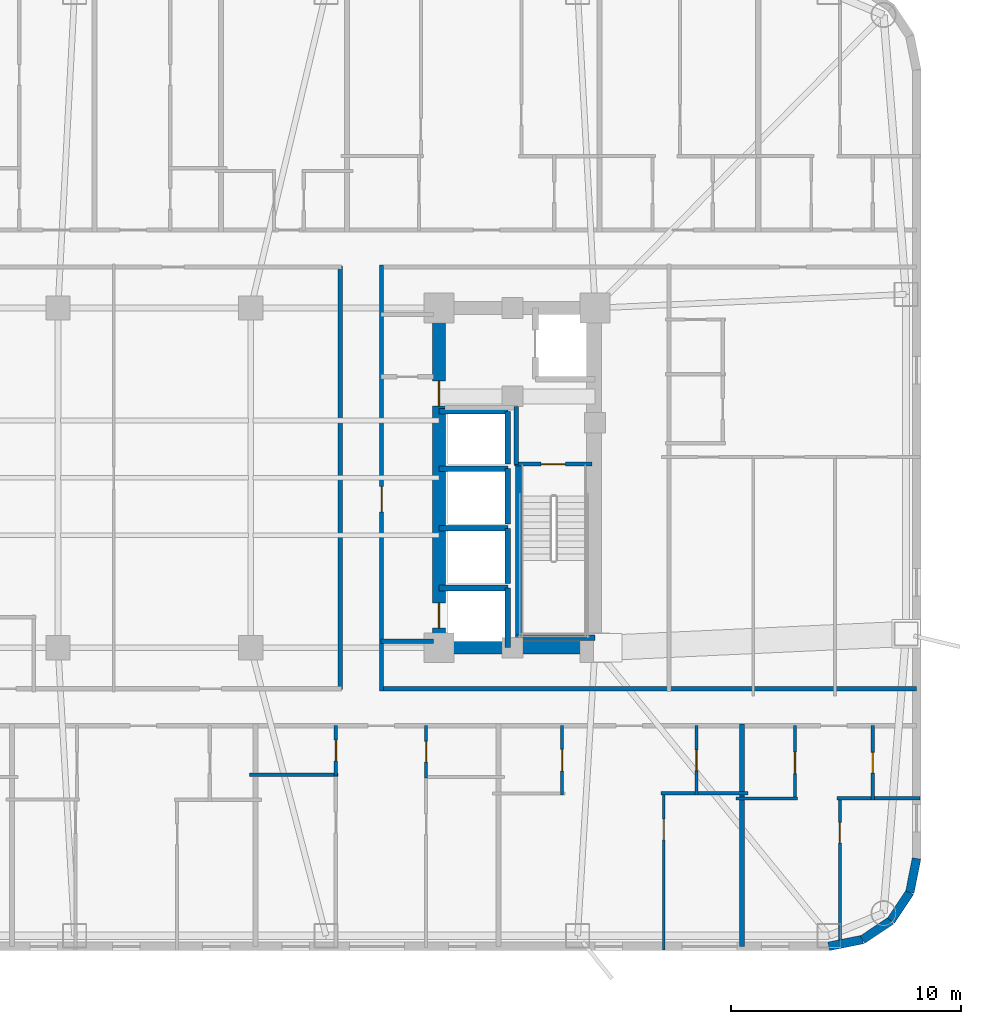
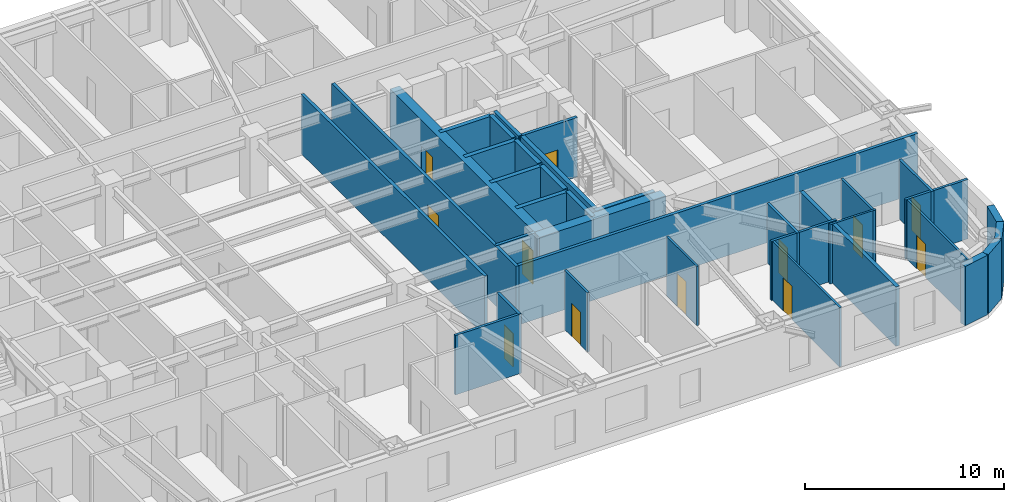
# One storey, part 6 of 12: 35 walls, 12 doors, 12 openings.
"""IFC4 building model written with IfcOpenShell, lengths in metres."""

from ifc_helpers import new_model, si_unit, direction, frame, frame_2d, origin, place, context, subcontext, project, spatial, rectangle, extrude, material, layer, layer_set, type_object, element, fill, save


model = new_model("IFC4")

# Units and contexts
model_context = context("Model", 3, precision=1e-05, world=origin(), true_north=direction((0.0, 1.0)))
body_context = subcontext(model_context, "Body", "Model", "MODEL_VIEW")
ifc_project = project(units=[si_unit("LENGTHUNIT", "METRE"), si_unit("AREAUNIT", "SQUARE_METRE"), si_unit("VOLUMEUNIT", "CUBIC_METRE"), si_unit("PLANEANGLEUNIT", "RADIAN"), si_unit("MASSUNIT", "GRAM", prefix="KILO")], contexts=[model_context])

# Site, building, storey
site_placement = place(None, origin())
site = spatial("IfcSite", under=ifc_project, at=site_placement, CompositionType="ELEMENT")
building_placement = place(site_placement, origin())
building = spatial("IfcBuilding", under=site, at=building_placement, Name="Voryun Gate Residences", CompositionType="ELEMENT")
storey_placement = place(building_placement, frame((0.0, 0.0, 109.199951171875)))
storey = spatial("IfcBuildingStorey", under=building, at=storey_placement, Name="L26", CompositionType="ELEMENT", Elevation=109.199951171875)

# Wall
ifc_material_1 = material(Name="Concrete C60/75", Category="concrete")
ifc_layer_1 = layer(ifc_material_1, 0.550048828125, Name="CW_CORE_550")
ifc_layer_set_1 = layer_set([ifc_layer_1], Name="Concrete C60/75")
wall_type_1 = type_object("IfcWallType", Name="CW_CORE_550", PredefinedType="SHEAR", material=ifc_layer_set_1)
wall_1_placement = place(storey_placement, frame((12.125, -7.39990234375, 0.0), z_axis=(0.0, 0.0, 1.0), x_axis=(1.0, 0.0, 0.0)))
element("IfcWall", 1, at=wall_1_placement, inside=storey, type_object=wall_type_1, Name="L26 Core shear wall CW-L26-ES", PredefinedType="SHEAR", context=body_context, shape_type="SweptSolid", body=[
    extrude(rectangle(XDim=7.35009765625, YDim=0.550048828125, at=frame_2d((3.675048828125, 0.0))), origin(), (0.0, 0.0, 1.0), 3.650146484375),
])

# Wall, openings, doors
wall_2_placement = place(storey_placement, frame((12.39990234375, -7.39990234375, 0.0), z_axis=(0.0, 0.0, 1.0), x_axis=(0.0, 1.0, 0.0)))
wall_2 = element("IfcWall", 2, at=wall_2_placement, inside=storey, type_object=wall_type_1, Name="L26 Core shear wall CW-L26-EW", PredefinedType="SHEAR", context=body_context, shape_type="SweptSolid", body=[
    extrude(rectangle(XDim=14.7998046875, YDim=0.550048828125, at=frame_2d((7.39990234375, 0.0))), origin(), (0.0, 0.0, 1.0), 3.650146484375),
])
opening_1_placement = place(wall_2_placement, frame((0.85009765625, 0.0, 0.0)))
opening_1 = element("IfcOpeningElement", 3, at=opening_1_placement, cuts=wall_2, Name="Opening LD2", PredefinedType="OPENING", context=body_context, shape_type="SweptSolid", body=[
    extrude(rectangle(XDim=1.10009765625, YDim=2.050048828125, at=frame_2d((0.550048828125, 1.02490234375))), frame((0.0, 0.284912109375, 0.0), z_axis=(0.0, -1.0, 0.0), x_axis=(1.0, 0.0, 0.0)), (0.0, 0.0, 1.0), 0.570068359375),
])
opening_2_placement = place(wall_2_placement, frame((10.530029296875, 0.0, 0.0)))
opening_2 = element("IfcOpeningElement", 4, at=opening_2_placement, cuts=wall_2, Name="Opening D-FD60-2", PredefinedType="OPENING", context=body_context, shape_type="SweptSolid", body=[
    extrude(rectangle(XDim=1.10009765625, YDim=2.050048828125, at=frame_2d((0.550048828125, 1.02490234375))), frame((0.0, 0.284912109375, 0.0), z_axis=(0.0, -1.0, 0.0), x_axis=(1.0, 0.0, 0.0)), (0.0, 0.0, 1.0), 0.570068359375),
])
ifc_material_2 = material(Name="Painted steel fire door", Category="steel")
door_type_1 = type_object("IfcDoorType", Name="DR_FD60_FFLOB_1100", OperationType="NOTDEFINED", PredefinedType="DOOR", material=ifc_material_2)
door_1_placement = place(opening_2_placement, origin())
door_1 = element("IfcDoor", 5, at=door_1_placement, inside=storey, type_object=door_type_1, Name="Door DR-L26-CLOB-E", OperationType="SINGLE_SWING_RIGHT", OverallHeight=2.050048828125, OverallWidth=1.10009765625, PredefinedType="DOOR", context=body_context, shape_type="SweptSolid", body=[
    extrude(rectangle(XDim=1.10009765625, YDim=2.050048828125, at=frame_2d((0.550048828125, 1.02490234375))), frame((0.0, 0.02490234375, 0.0), z_axis=(0.0, -1.0, 0.0), x_axis=(1.0, 0.0, 0.0)), (0.0, 0.0, 1.0), 0.050048828125),
])
fill(opening_2, door_1)
ifc_material_3 = material(Name="Anodised aluminium", Category="aluminium")
door_type_2 = type_object("IfcDoorType", Name="DR_LD_PASS_1100", OperationType="NOTDEFINED", PredefinedType="DOOR", material=ifc_material_3)
door_2_placement = place(opening_1_placement, origin())
door_2 = element("IfcDoor", 6, at=door_2_placement, inside=storey, type_object=door_type_2, Name="Lift EL-P3 sliding landing door L26", OperationType="SLIDING_TO_LEFT", OverallHeight=2.050048828125, OverallWidth=1.10009765625, PredefinedType="DOOR", context=body_context, shape_type="SweptSolid", body=[
    extrude(rectangle(XDim=1.10009765625, YDim=2.050048828125, at=frame_2d((0.550048828125, 1.02490234375))), frame((0.0, 0.02490234375, 0.0), z_axis=(0.0, -1.0, 0.0), x_axis=(1.0, 0.0, 0.0)), (0.0, 0.0, 1.0), 0.050048828125),
])
fill(opening_1, door_2)

# Wall, opening, door
ifc_material_4 = material(Name="Gypsum acoustic fireboard")
ifc_layer_2 = layer(ifc_material_4, 0.179931640625, Name="W_CORR_RATED_180")
ifc_layer_set_2 = layer_set([ifc_layer_2], Name="Gypsum acoustic fireboard")
wall_type_2 = type_object("IfcWallType", Name="W_CORR_RATED_180", PredefinedType="PARTITIONING", material=ifc_layer_set_2)
wall_3_placement = place(storey_placement, frame((15.699951171875, 0.60009765625, 0.0), z_axis=(0.0, 0.0, 1.0), x_axis=(1.0, 0.0, 0.0)))
wall_3 = element("IfcWall", 7, at=wall_3_placement, inside=storey, type_object=wall_type_2, Name="Partition wall WP-L26-STV-E", PredefinedType="PARTITIONING", context=body_context, shape_type="SweptSolid", body=[
    extrude(rectangle(XDim=3.360107421875, YDim=0.179931640625, at=frame_2d((1.68017578125, 0.0))), origin(), (0.0, 0.0, 1.0), 3.650146484375),
])
opening_3_placement = place(wall_3_placement, frame((1.155029296875, 0.0, 0.0)))
opening_3 = element("IfcOpeningElement", 8, at=opening_3_placement, cuts=wall_3, Name="Opening D-FD60-1", PredefinedType="OPENING", context=body_context, shape_type="SweptSolid", body=[
    extrude(rectangle(XDim=1.050048828125, YDim=2.050048828125, at=frame_2d((0.52490234375, 1.02490234375))), frame((0.0, 0.099853515625, 0.0), z_axis=(0.0, -1.0, 0.0), x_axis=(1.0, 0.0, 0.0)), (0.0, 0.0, 1.0), 0.199951171875),
])
ifc_material_5 = material(Name="Painted steel fire door", Category="steel")
door_type_3 = type_object("IfcDoorType", Name="DR_FD60_STAIR_1050", OperationType="NOTDEFINED", PredefinedType="DOOR", material=ifc_material_5)
door_3_placement = place(opening_3_placement, origin())
door_3 = element("IfcDoor", 9, at=door_3_placement, inside=storey, type_object=door_type_3, Name="Door DR-L26-ST-E", OperationType="SINGLE_SWING_RIGHT", OverallHeight=2.050048828125, OverallWidth=1.050048828125, PredefinedType="DOOR", context=body_context, shape_type="SweptSolid", body=[
    extrude(rectangle(XDim=1.050048828125, YDim=2.050048828125, at=frame_2d((0.52490234375, 1.02490234375))), frame((0.0, 0.02490234375, 0.0), z_axis=(0.0, -1.0, 0.0), x_axis=(1.0, 0.0, 0.0)), (0.0, 0.0, 1.0), 0.050048828125),
])
fill(opening_3, door_3)

# Wall
wall_4_placement = place(storey_placement, frame((9.8798828125, -7.1201171875, 0.0), z_axis=(0.0, 0.0, 1.0), x_axis=(1.0, 0.0, 0.0)))
element("IfcWall", 10, at=wall_4_placement, inside=storey, type_object=wall_type_2, Name="Partition wall WP-L26-PLBS-E", PredefinedType="PARTITIONING", context=body_context, shape_type="SweptSolid", body=[
    extrude(rectangle(XDim=2.27001953125, YDim=0.179931640625, at=frame_2d((1.135009765625, 0.0))), origin(), (0.0, 0.0, 1.0), 3.650146484375),
])

# Wall, opening, door
wall_5_placement = place(storey_placement, frame((9.89990234375, -9.280029296875, 0.0), z_axis=(0.0, 0.0, 1.0), x_axis=(0.0, 1.0, 0.0)))
wall_5 = element("IfcWall", 11, at=wall_5_placement, inside=storey, type_object=wall_type_2, Name="Partition wall WP-L26-PLBE-FULL", PredefinedType="PARTITIONING", context=body_context, shape_type="SweptSolid", body=[
    extrude(rectangle(XDim=18.56005859375, YDim=0.179931640625, at=frame_2d((9.280029296875, 0.0))), origin(), (0.0, 0.0, 1.0), 3.650146484375),
])
opening_4_placement = place(wall_5_placement, frame((7.802001953125, 0.0, 0.0)))
opening_4 = element("IfcOpeningElement", 12, at=opening_4_placement, cuts=wall_5, Name="Opening D-FD60-2", PredefinedType="OPENING", context=body_context, shape_type="SweptSolid", body=[
    extrude(rectangle(XDim=1.10009765625, YDim=2.050048828125, at=frame_2d((0.550048828125, 1.02490234375))), frame((0.0, 0.099853515625, 0.0), z_axis=(0.0, -1.0, 0.0), x_axis=(1.0, 0.0, 0.0)), (0.0, 0.0, 1.0), 0.199951171875),
])
door_4_placement = place(opening_4_placement, origin())
door_4 = element("IfcDoor", 13, at=door_4_placement, inside=storey, type_object=door_type_1, Name="Door DR-L26-PLBE-COR", OperationType="SINGLE_SWING_RIGHT", OverallHeight=2.050048828125, OverallWidth=1.10009765625, PredefinedType="DOOR", context=body_context, shape_type="SweptSolid", body=[
    extrude(rectangle(XDim=1.10009765625, YDim=2.050048828125, at=frame_2d((0.550048828125, 1.02490234375))), frame((0.0, 0.02490234375, 0.0), z_axis=(0.0, -1.0, 0.0), x_axis=(1.0, 0.0, 0.0)), (0.0, 0.0, 1.0), 0.050048828125),
])
fill(opening_4, door_4)

# Walls
wall_6_placement = place(storey_placement, frame((9.8798828125, -9.18994140625, 0.0), z_axis=(0.0, 0.0, 1.0), x_axis=(1.0, 0.0, 0.0)))
element("IfcWall", 14, at=wall_6_placement, inside=storey, type_object=wall_type_2, Name="Partition wall WP-L26-CWING-ES", PredefinedType="PARTITIONING", context=body_context, shape_type="SweptSolid", body=[
    extrude(rectangle(XDim=23.330078125, YDim=0.179931640625, at=frame_2d((11.6650390625, 0.0))), origin(), (0.0, 0.0, 1.0), 3.650146484375),
])
wall_7_placement = place(storey_placement, frame((8.10009765625, -9.22998046875, 0.0), z_axis=(0.0, 0.0, 1.0), x_axis=(0.0, 1.0, 0.0)))
element("IfcWall", 15, at=wall_7_placement, inside=storey, type_object=wall_type_2, Name="Partition wall WP-L26-Z1E", PredefinedType="PARTITIONING", context=body_context, shape_type="SweptSolid", body=[
    extrude(rectangle(XDim=18.4599609375, YDim=0.179931640625, at=frame_2d((9.22998046875, 0.0))), origin(), (0.0, 0.0, 1.0), 3.650146484375),
])
ifc_material_6 = material(Name="Granite masonry", Category="masonry")
ifc_layer_3 = layer(ifc_material_6, 0.3798828125, Name="W_EXT_GRANITE_380")
ifc_layer_set_3 = layer_set([ifc_layer_3], Name="Granite masonry")
wall_type_3 = type_object("IfcWallType", Name="W_EXT_GRANITE_380", PredefinedType="ELEMENTEDWALL", material=ifc_layer_set_3)
wall_8_placement = place(storey_placement, frame((33.2099609375, -16.581298828125, 0.0), z_axis=(0.0, 0.0, 1.0), x_axis=(-0.195086038585, -0.980786132421, 0.0)))
element("IfcWall", 16, at=wall_8_placement, inside=storey, type_object=wall_type_3, Name="Exterior wall WEXT-L26-17", PredefinedType="ELEMENTEDWALL", context=body_context, shape_type="SweptSolid", body=[
    extrude(rectangle(XDim=1.504150390625, YDim=0.3798828125, at=frame_2d((0.751953125, 0.0))), origin(), (0.0, 0.0, 1.0), 3.650146484375),
])
wall_9_placement = place(storey_placement, frame((32.91650390625, -18.056640625, 0.0), z_axis=(0.0, 0.0, 1.0), x_axis=(-0.555610286119, -0.831442848281, 0.0)))
element("IfcWall", 17, at=wall_9_placement, inside=storey, type_object=wall_type_3, Name="Exterior wall WEXT-L26-18", PredefinedType="ELEMENTEDWALL", context=body_context, shape_type="SweptSolid", body=[
    extrude(rectangle(XDim=1.485107421875, YDim=0.3798828125, at=frame_2d((0.74267578125, 0.0))), origin(), (0.0, 0.0, 1.0), 3.650146484375),
])
wall_10_placement = place(storey_placement, frame((32.09130859375, -19.29150390625, 0.0), z_axis=(0.0, 0.0, 1.0), x_axis=(-0.831468045563, -0.555572577804, 0.0)))
element("IfcWall", 18, at=wall_10_placement, inside=storey, type_object=wall_type_3, Name="Exterior wall WEXT-L26-19", PredefinedType="ELEMENTEDWALL", context=body_context, shape_type="SweptSolid", body=[
    extrude(rectangle(XDim=1.48486328125, YDim=0.3798828125, at=frame_2d((0.742431640625, 0.0))), origin(), (0.0, 0.0, 1.0), 3.650146484375),
])
wall_11_placement = place(storey_placement, frame((30.856689453125, -20.116455078125, 0.0), z_axis=(0.0, 0.0, 1.0), x_axis=(-0.980786132421, -0.195086038585, 0.0)))
element("IfcWall", 19, at=wall_11_placement, inside=storey, type_object=wall_type_3, Name="Exterior wall WEXT-L26-20", PredefinedType="ELEMENTEDWALL", context=body_context, shape_type="SweptSolid", body=[
    extrude(rectangle(XDim=1.504150390625, YDim=0.3798828125, at=frame_2d((0.751953125, 0.0))), origin(), (0.0, 0.0, 1.0), 3.650146484375),
])
ifc_material_7 = material(Name="Concrete C40/50", Category="concrete")
ifc_layer_4 = layer(ifc_material_7, 0.199951171875, Name="W_FF_LOBBY_200")
ifc_layer_set_4 = layer_set([ifc_layer_4], Name="Concrete C40/50")
wall_type_4 = type_object("IfcWallType", Name="W_FF_LOBBY_200", PredefinedType="PARTITIONING", material=ifc_layer_set_4)
wall_12_placement = place(storey_placement, frame((15.760009765625, 0.580078125, 0.0), z_axis=(0.0, 0.0, 1.0), x_axis=(0.0, 1.0, 0.0)))
element("IfcWall", 20, at=wall_12_placement, inside=storey, type_object=wall_type_4, Name="Partition wall WP-L26-FFP0-E", PredefinedType="PARTITIONING", context=body_context, shape_type="SweptSolid", body=[
    extrude(rectangle(XDim=2.52001953125, YDim=0.199951171875, at=frame_2d((1.260009765625, 0.0))), origin(), (0.0, 0.0, 1.0), 3.650146484375),
])
ifc_material_8 = material(Name="Concrete C40/50", Category="concrete")
ifc_layer_5 = layer(ifc_material_8, 0.219970703125, Name="W_PARTY_ACOUSTIC_220")
ifc_layer_set_5 = layer_set([ifc_layer_5], Name="Concrete C40/50")
wall_type_5 = type_object("IfcWallType", Name="W_PARTY_ACOUSTIC_220", PredefinedType="PARTITIONING", material=ifc_layer_set_5)
wall_13_placement = place(storey_placement, frame((25.60009765625, -20.409912109375, 0.0), z_axis=(0.0, 0.0, 1.0), x_axis=(0.0, 1.0, 0.0)))
element("IfcWall", 21, at=wall_13_placement, inside=storey, type_object=wall_type_5, Name="Partition wall WP-L26-SPTY-6", PredefinedType="PARTITIONING", context=body_context, shape_type="SweptSolid", body=[
    extrude(rectangle(XDim=9.68994140625, YDim=0.219970703125, at=frame_2d((4.844970703125, 0.0))), origin(), (0.0, 0.0, 1.0), 3.650146484375),
])
ifc_material_9 = material(Name="Concrete C50/60", Category="concrete")
ifc_layer_6 = layer(ifc_material_9, 0.25, Name="W_SHAFT_RC250")
ifc_layer_set_6 = layer_set([ifc_layer_6], Name="Concrete C50/60")
wall_type_6 = type_object("IfcWallType", Name="W_SHAFT_RC250", PredefinedType="SOLIDWALL", material=ifc_layer_set_6)
wall_14_placement = place(storey_placement, frame((15.860107421875, -7.0849609375, 0.0), z_axis=(0.0, 0.0, 1.0), x_axis=(0.0, 1.0, 0.0)))
element("IfcWall", 22, at=wall_14_placement, inside=storey, type_object=wall_type_6, Name="L26 Stair shaft structural wall E-STL", PredefinedType="SOLIDWALL", context=body_context, shape_type="SweptSolid", body=[
    extrude(rectangle(XDim=7.68505859375, YDim=0.25, at=frame_2d((3.842529296875, 0.0))), origin(), (0.0, 0.0, 1.0), 3.650146484375),
])
wall_15_placement = place(storey_placement, frame((15.739990234375, -6.965087890625, 0.0), z_axis=(0.0, 0.0, 1.0), x_axis=(1.0, 0.0, 0.0)))
element("IfcWall", 23, at=wall_15_placement, inside=storey, type_object=wall_type_6, Name="L26 Stair shaft structural wall E-STS", PredefinedType="SOLIDWALL", context=body_context, shape_type="SweptSolid", body=[
    extrude(rectangle(XDim=3.4599609375, YDim=0.25, at=frame_2d((1.72998046875, 0.0))), origin(), (0.0, 0.0, 1.0), 3.650146484375),
])
wall_16_placement = place(storey_placement, frame((15.39990234375, -7.39990234375, 0.0), z_axis=(0.0, 0.0, 1.0), x_axis=(0.0, 1.0, 0.0)))
element("IfcWall", 24, at=wall_16_placement, inside=storey, type_object=wall_type_6, Name="Lift shaft wall WSH-L26-EL-P3-E", PredefinedType="SOLIDWALL", context=body_context, shape_type="SweptSolid", body=[
    extrude(rectangle(XDim=2.599853515625, YDim=0.25, at=frame_2d((1.2998046875, 0.0))), origin(), (0.0, 0.0, 1.0), 3.650146484375),
])
wall_17_placement = place(storey_placement, frame((15.39990234375, -4.800048828125, 0.0), z_axis=(0.0, 0.0, 1.0), x_axis=(-1.0, 0.0, 0.0)))
element("IfcWall", 25, at=wall_17_placement, inside=storey, type_object=wall_type_6, Name="Lift shaft wall WSH-L26-EL-P3-N", PredefinedType="SOLIDWALL", context=body_context, shape_type="SweptSolid", body=[
    extrude(rectangle(XDim=3.0, YDim=0.25, at=frame_2d((1.5, 0.0))), origin(), (0.0, 0.0, 1.0), 3.650146484375),
])
wall_18_placement = place(storey_placement, frame((15.39990234375, -4.60009765625, 0.0), z_axis=(0.0, 0.0, 1.0), x_axis=(0.0, 1.0, 0.0)))
element("IfcWall", 26, at=wall_18_placement, inside=storey, type_object=wall_type_6, Name="Lift shaft wall WSH-L26-EL-P5-E", PredefinedType="SOLIDWALL", context=body_context, shape_type="SweptSolid", body=[
    extrude(rectangle(XDim=2.400146484375, YDim=0.25, at=frame_2d((1.2001953125, 0.0))), origin(), (0.0, 0.0, 1.0), 3.650146484375),
])
wall_19_placement = place(storey_placement, frame((15.39990234375, -2.199951171875, 0.0), z_axis=(0.0, 0.0, 1.0), x_axis=(-1.0, 0.0, 0.0)))
element("IfcWall", 27, at=wall_19_placement, inside=storey, type_object=wall_type_6, Name="Lift shaft wall WSH-L26-EL-P5-N", PredefinedType="SOLIDWALL", context=body_context, shape_type="SweptSolid", body=[
    extrude(rectangle(XDim=3.0, YDim=0.25, at=frame_2d((1.5, 0.0))), origin(), (0.0, 0.0, 1.0), 3.650146484375),
])
wall_20_placement = place(storey_placement, frame((15.39990234375, -2.0, 0.0), z_axis=(0.0, 0.0, 1.0), x_axis=(0.0, 1.0, 0.0)))
element("IfcWall", 28, at=wall_20_placement, inside=storey, type_object=wall_type_6, Name="Lift shaft wall WSH-L26-EL-P6-E", PredefinedType="SOLIDWALL", context=body_context, shape_type="SweptSolid", body=[
    extrude(rectangle(XDim=2.39990234375, YDim=0.25, at=frame_2d((1.199951171875, 0.0))), origin(), (0.0, 0.0, 1.0), 3.650146484375),
])
wall_21_placement = place(storey_placement, frame((15.39990234375, 0.39990234375, 0.0), z_axis=(0.0, 0.0, 1.0), x_axis=(-1.0, 0.0, 0.0)))
element("IfcWall", 29, at=wall_21_placement, inside=storey, type_object=wall_type_6, Name="Lift shaft wall WSH-L26-EL-P6-N", PredefinedType="SOLIDWALL", context=body_context, shape_type="SweptSolid", body=[
    extrude(rectangle(XDim=3.0, YDim=0.25, at=frame_2d((1.5, 0.0))), origin(), (0.0, 0.0, 1.0), 3.650146484375),
])
wall_22_placement = place(storey_placement, frame((15.39990234375, 0.60009765625, 0.0), z_axis=(0.0, 0.0, 1.0), x_axis=(0.0, 1.0, 0.0)))
element("IfcWall", 30, at=wall_22_placement, inside=storey, type_object=wall_type_6, Name="Lift shaft wall WSH-L26-EL-P8-E", PredefinedType="SOLIDWALL", context=body_context, shape_type="SweptSolid", body=[
    extrude(rectangle(XDim=2.2998046875, YDim=0.25, at=frame_2d((1.14990234375, 0.0))), origin(), (0.0, 0.0, 1.0), 3.650146484375),
])
wall_23_placement = place(storey_placement, frame((15.39990234375, 2.89990234375, 0.0), z_axis=(0.0, 0.0, 1.0), x_axis=(-1.0, 0.0, 0.0)))
element("IfcWall", 31, at=wall_23_placement, inside=storey, type_object=wall_type_6, Name="Lift shaft wall WSH-L26-EL-P8-N", PredefinedType="SOLIDWALL", context=body_context, shape_type="SweptSolid", body=[
    extrude(rectangle(XDim=3.0, YDim=0.25, at=frame_2d((1.5, 0.0))), origin(), (0.0, 0.0, 1.0), 3.650146484375),
])

# Wall, opening, door
ifc_material_10 = material(Name="Gypsum acoustic partition")
ifc_layer_7 = layer(ifc_material_10, 0.125, Name="W_UNIT_PART_125")
ifc_layer_set_7 = layer_set([ifc_layer_7], Name="Gypsum acoustic partition")
wall_type_7 = type_object("IfcWallType", Name="W_UNIT_PART_125", PredefinedType="PARTITIONING", material=ifc_layer_set_7)
wall_24_placement = place(storey_placement, frame((11.840087890625, -13.080078125, 0.0), z_axis=(0.0, 0.0, 1.0), x_axis=(0.0, 1.0, 0.0)))
wall_24 = element("IfcWall", 32, at=wall_24_placement, inside=storey, type_object=wall_type_7, Name="Partition wall WP-L26-S5-RVX2", PredefinedType="PARTITIONING", context=body_context, shape_type="SweptSolid", body=[
    extrude(rectangle(XDim=2.300048828125, YDim=0.125, at=frame_2d((1.14990234375, 0.0))), origin(), (0.0, 0.0, 1.0), 3.650146484375),
])
opening_5_placement = place(wall_24_placement, frame((0.699951171875, 0.0, 0.0)))
opening_5 = element("IfcOpeningElement", 33, at=opening_5_placement, cuts=wall_24, Name="Opening D-INT-2", PredefinedType="OPENING", context=body_context, shape_type="SweptSolid", body=[
    extrude(rectangle(XDim=0.89990234375, YDim=2.050048828125, at=frame_2d((0.449951171875, 1.02490234375))), frame((0.0, 0.072509765625, 0.0), z_axis=(0.0, -1.0, 0.0), x_axis=(1.0, 0.0, 0.0)), (0.0, 0.0, 1.0), 0.14501953125),
])
ifc_material_11 = material(Name="Architectural oak veneer")
door_type_4 = type_object("IfcDoorType", Name="DR_INT_BATH_900", OperationType="NOTDEFINED", PredefinedType="DOOR", material=ifc_material_11)
door_5_placement = place(opening_5_placement, origin())
door_5 = element("IfcDoor", 34, at=door_5_placement, inside=storey, type_object=door_type_4, Name="Door DR-L26-S5-DK", OperationType="SINGLE_SWING_LEFT", OverallHeight=2.050048828125, OverallWidth=0.89990234375, PredefinedType="DOOR", context=body_context, shape_type="SweptSolid", body=[
    extrude(rectangle(XDim=0.89990234375, YDim=2.050048828125, at=frame_2d((0.449951171875, 1.02490234375))), frame((0.0, 0.02490234375, 0.0), z_axis=(0.0, -1.0, 0.0), x_axis=(1.0, 0.0, 0.0)), (0.0, 0.0, 1.0), 0.050048828125),
])
fill(opening_5, door_5)

wall_25_placement = place(storey_placement, frame((22.18994140625, -20.56005859375, 0.0), z_axis=(0.0, 0.0, 1.0), x_axis=(0.0, 1.0, 0.0)))
wall_25 = element("IfcWall", 35, at=wall_25_placement, inside=storey, type_object=wall_type_7, Name="Partition wall WP-L26-S6-OVR", PredefinedType="PARTITIONING", context=body_context, shape_type="SweptSolid", body=[
    extrude(rectangle(XDim=6.89306640625, YDim=0.125, at=frame_2d((3.446533203125, 0.0))), origin(), (0.0, 0.0, 1.0), 3.650146484375),
])
opening_6_placement = place(wall_25_placement, frame((4.788818359375, 0.0, 0.0)))
opening_6 = element("IfcOpeningElement", 36, at=opening_6_placement, cuts=wall_25, Name="Opening D-INT-2", PredefinedType="OPENING", context=body_context, shape_type="SweptSolid", body=[
    extrude(rectangle(XDim=0.89990234375, YDim=2.050048828125, at=frame_2d((0.449951171875, 1.02490234375))), frame((0.0, 0.072509765625, 0.0), z_axis=(0.0, -1.0, 0.0), x_axis=(1.0, 0.0, 0.0)), (0.0, 0.0, 1.0), 0.14501953125),
])
door_6_placement = place(opening_6_placement, origin())
door_6 = element("IfcDoor", 37, at=door_6_placement, inside=storey, type_object=door_type_4, Name="Door DR-L26-S6-DMB", OperationType="SINGLE_SWING_RIGHT", OverallHeight=2.050048828125, OverallWidth=0.89990234375, PredefinedType="DOOR", context=body_context, shape_type="SweptSolid", body=[
    extrude(rectangle(XDim=0.89990234375, YDim=2.050048828125, at=frame_2d((0.449951171875, 1.02490234375))), frame((0.0, 0.02490234375, 0.0), z_axis=(0.0, -1.0, 0.0), x_axis=(1.0, 0.0, 0.0)), (0.0, 0.0, 1.0), 0.050048828125),
])
fill(opening_6, door_6)

wall_26_placement = place(storey_placement, frame((17.763916015625, -13.826904296875, 0.0), z_axis=(0.0, 0.0, 1.0), x_axis=(0.0, 1.0, 0.0)))
wall_26 = element("IfcWall", 38, at=wall_26_placement, inside=storey, type_object=wall_type_7, Name="Partition wall WP-L26-S6-IVK", PredefinedType="PARTITIONING", context=body_context, shape_type="SweptSolid", body=[
    extrude(rectangle(XDim=3.046875, YDim=0.125, at=frame_2d((1.5234375, 0.0))), origin(), (0.0, 0.0, 1.0), 3.650146484375),
])
opening_7_placement = place(wall_26_placement, frame((1.048583984375, 0.0, 0.0)))
opening_7 = element("IfcOpeningElement", 39, at=opening_7_placement, cuts=wall_26, Name="Opening D-INT-1", PredefinedType="OPENING", context=body_context, shape_type="SweptSolid", body=[
    extrude(rectangle(XDim=0.949951171875, YDim=2.050048828125, at=frame_2d((0.47509765625, 1.02490234375))), frame((0.0, 0.072509765625, 0.0), z_axis=(0.0, -1.0, 0.0), x_axis=(1.0, 0.0, 0.0)), (0.0, 0.0, 1.0), 0.14501953125),
])
ifc_material_12 = material(Name="Architectural oak veneer")
door_type_5 = type_object("IfcDoorType", Name="DR_INT_ROOM_950", OperationType="NOTDEFINED", PredefinedType="DOOR", material=ifc_material_12)
door_7_placement = place(opening_7_placement, origin())
door_7 = element("IfcDoor", 40, at=door_7_placement, inside=storey, type_object=door_type_5, Name="Door DR-L26-S6-DK", OperationType="SINGLE_SWING_LEFT", OverallHeight=2.050048828125, OverallWidth=0.949951171875, PredefinedType="DOOR", context=body_context, shape_type="SweptSolid", body=[
    extrude(rectangle(XDim=0.949951171875, YDim=2.050048828125, at=frame_2d((0.47509765625, 1.02490234375))), frame((0.0, 0.02490234375, 0.0), z_axis=(0.0, -1.0, 0.0), x_axis=(1.0, 0.0, 0.0)), (0.0, 0.0, 1.0), 0.050048828125),
])
fill(opening_7, door_7)

wall_27_placement = place(storey_placement, frame((29.867919921875, -20.466064453125, 0.0), z_axis=(0.0, 0.0, 1.0), x_axis=(0.0, 1.0, 0.0)))
wall_27 = element("IfcWall", 41, at=wall_27_placement, inside=storey, type_object=wall_type_7, Name="Partition wall WP-L26-S7-OVR", PredefinedType="PARTITIONING", context=body_context, shape_type="SweptSolid", body=[
    extrude(rectangle(XDim=6.5830078125, YDim=0.125, at=frame_2d((3.29150390625, 0.0))), origin(), (0.0, 0.0, 1.0), 3.650146484375),
])
opening_8_placement = place(wall_27_placement, frame((4.55322265625, 0.0, 0.0)))
opening_8 = element("IfcOpeningElement", 42, at=opening_8_placement, cuts=wall_27, Name="Opening D-INT-2", PredefinedType="OPENING", context=body_context, shape_type="SweptSolid", body=[
    extrude(rectangle(XDim=0.89990234375, YDim=2.050048828125, at=frame_2d((0.449951171875, 1.02490234375))), frame((0.0, 0.072509765625, 0.0), z_axis=(0.0, -1.0, 0.0), x_axis=(1.0, 0.0, 0.0)), (0.0, 0.0, 1.0), 0.14501953125),
])
door_8_placement = place(opening_8_placement, origin())
door_8 = element("IfcDoor", 43, at=door_8_placement, inside=storey, type_object=door_type_4, Name="Door DR-L26-S7-DMB", OperationType="SINGLE_SWING_RIGHT", OverallHeight=2.050048828125, OverallWidth=0.89990234375, PredefinedType="DOOR", context=body_context, shape_type="SweptSolid", body=[
    extrude(rectangle(XDim=0.89990234375, YDim=2.050048828125, at=frame_2d((0.449951171875, 1.02490234375))), frame((0.0, 0.02490234375, 0.0), z_axis=(0.0, -1.0, 0.0), x_axis=(1.0, 0.0, 0.0)), (0.0, 0.0, 1.0), 0.050048828125),
])
fill(opening_8, door_8)

wall_28_placement = place(storey_placement, frame((27.909912109375, -14.04296875, 0.0), z_axis=(0.0, 0.0, 1.0), x_axis=(0.0, 1.0, 0.0)))
wall_28 = element("IfcWall", 44, at=wall_28_placement, inside=storey, type_object=wall_type_7, Name="Partition wall WP-L26-S7-IVK", PredefinedType="PARTITIONING", context=body_context, shape_type="SweptSolid", body=[
    extrude(rectangle(XDim=3.262939453125, YDim=0.125, at=frame_2d((1.63134765625, 0.0))), origin(), (0.0, 0.0, 1.0), 3.650146484375),
])
opening_9_placement = place(wall_28_placement, frame((1.156494140625, 0.0, 0.0)))
opening_9 = element("IfcOpeningElement", 45, at=opening_9_placement, cuts=wall_28, Name="Opening D-INT-1", PredefinedType="OPENING", context=body_context, shape_type="SweptSolid", body=[
    extrude(rectangle(XDim=0.949951171875, YDim=2.050048828125, at=frame_2d((0.47509765625, 1.02490234375))), frame((0.0, 0.072509765625, 0.0), z_axis=(0.0, -1.0, 0.0), x_axis=(1.0, 0.0, 0.0)), (0.0, 0.0, 1.0), 0.14501953125),
])
door_9_placement = place(opening_9_placement, origin())
door_9 = element("IfcDoor", 46, at=door_9_placement, inside=storey, type_object=door_type_5, Name="Door DR-L26-S7-DK", OperationType="SINGLE_SWING_LEFT", OverallHeight=2.050048828125, OverallWidth=0.949951171875, PredefinedType="DOOR", context=body_context, shape_type="SweptSolid", body=[
    extrude(rectangle(XDim=0.949951171875, YDim=2.050048828125, at=frame_2d((0.47509765625, 1.02490234375))), frame((0.0, 0.02490234375, 0.0), z_axis=(0.0, -1.0, 0.0), x_axis=(1.0, 0.0, 0.0)), (0.0, 0.0, 1.0), 0.050048828125),
])
fill(opening_9, door_9)

# Walls
wall_29_placement = place(storey_placement, frame((25.340087890625, -13.962890625, 0.0), z_axis=(0.0, 0.0, 1.0), x_axis=(1.0, 0.0, 0.0)))
element("IfcWall", 47, at=wall_29_placement, inside=storey, type_object=wall_type_7, Name="Partition wall WP-L26-S7-HZK", PredefinedType="PARTITIONING", context=body_context, shape_type="SweptSolid", body=[
    extrude(rectangle(XDim=2.68994140625, YDim=0.125, at=frame_2d((1.344970703125, 0.0))), origin(), (0.0, 0.0, 1.0), 3.650146484375),
])
ifc_material_13 = material(Name="Gypsum moisture-resistant partition")
ifc_layer_8 = layer(ifc_material_13, 0.14990234375, Name="W_WET_PLUMB_150")
ifc_layer_set_8 = layer_set([ifc_layer_8], Name="Gypsum moisture-resistant partition")
wall_type_8 = type_object("IfcWallType", Name="W_WET_PLUMB_150", PredefinedType="PLUMBINGWALL", material=ifc_layer_set_8)
wall_30_placement = place(storey_placement, frame((4.139892578125, -12.93994140625, 0.0), z_axis=(0.0, 0.0, 1.0), x_axis=(1.0, 0.0, 0.0)))
element("IfcWall", 48, at=wall_30_placement, inside=storey, type_object=wall_type_8, Name="Partition wall WP-L26-S5-LHY", PredefinedType="PLUMBINGWALL", context=body_context, shape_type="SweptSolid", body=[
    extrude(rectangle(XDim=3.85009765625, YDim=0.14990234375, at=frame_2d((1.925048828125, 0.0))), origin(), (0.0, 0.0, 1.0), 3.650146484375),
])

# Wall, opening, door
wall_31_placement = place(storey_placement, frame((7.909912109375, -12.97998046875, 0.0), z_axis=(0.0, 0.0, 1.0), x_axis=(0.0, 1.0, 0.0)))
wall_31 = element("IfcWall", 49, at=wall_31_placement, inside=storey, type_object=wall_type_8, Name="Partition wall WP-L26-S5-LVX2", PredefinedType="PLUMBINGWALL", context=body_context, shape_type="SweptSolid", body=[
    extrude(rectangle(XDim=2.199951171875, YDim=0.14990234375, at=frame_2d((1.10009765625, 0.0))), origin(), (0.0, 0.0, 1.0), 3.650146484375),
])
opening_10_placement = place(wall_31_placement, frame((0.64990234375, 0.0, 0.0)))
opening_10 = element("IfcOpeningElement", 50, at=opening_10_placement, cuts=wall_31, Name="Opening D-INT-2", PredefinedType="OPENING", context=body_context, shape_type="SweptSolid", body=[
    extrude(rectangle(XDim=0.89990234375, YDim=2.050048828125, at=frame_2d((0.449951171875, 1.02490234375))), frame((0.0, 0.0849609375, 0.0), z_axis=(0.0, -1.0, 0.0), x_axis=(1.0, 0.0, 0.0)), (0.0, 0.0, 1.0), 0.169921875),
])
door_10_placement = place(opening_10_placement, origin())
door_10 = element("IfcDoor", 51, at=door_10_placement, inside=storey, type_object=door_type_4, Name="Door DR-L26-S5-DB", OperationType="SINGLE_SWING_RIGHT", OverallHeight=2.050048828125, OverallWidth=0.89990234375, PredefinedType="DOOR", context=body_context, shape_type="SweptSolid", body=[
    extrude(rectangle(XDim=0.89990234375, YDim=2.050048828125, at=frame_2d((0.449951171875, 1.02490234375))), frame((0.0, 0.02490234375, 0.0), z_axis=(0.0, -1.0, 0.0), x_axis=(1.0, 0.0, 0.0)), (0.0, 0.0, 1.0), 0.050048828125),
])
fill(opening_10, door_10)

# Wall
wall_32_placement = place(storey_placement, frame((22.070068359375, -13.7470703125, 0.0), z_axis=(0.0, 0.0, 1.0), x_axis=(1.0, 0.0, 0.0)))
element("IfcWall", 52, at=wall_32_placement, inside=storey, type_object=wall_type_8, Name="Partition wall WP-L26-S6-HZB", PredefinedType="PLUMBINGWALL", context=body_context, shape_type="SweptSolid", body=[
    extrude(rectangle(XDim=3.7900390625, YDim=0.14990234375, at=frame_2d((1.89501953125, 0.0))), origin(), (0.0, 0.0, 1.0), 3.650146484375),
])

# Wall, opening, door
wall_33_placement = place(storey_placement, frame((23.6201171875, -13.826904296875, 0.0), z_axis=(0.0, 0.0, 1.0), x_axis=(0.0, 1.0, 0.0)))
wall_33 = element("IfcWall", 53, at=wall_33_placement, inside=storey, type_object=wall_type_8, Name="Partition wall WP-L26-S6-IVB", PredefinedType="PLUMBINGWALL", context=body_context, shape_type="SweptSolid", body=[
    extrude(rectangle(XDim=3.046875, YDim=0.14990234375, at=frame_2d((1.5234375, 0.0))), origin(), (0.0, 0.0, 1.0), 3.650146484375),
])
opening_11_placement = place(wall_33_placement, frame((1.073486328125, 0.0, 0.0)))
opening_11 = element("IfcOpeningElement", 54, at=opening_11_placement, cuts=wall_33, Name="Opening D-INT-2", PredefinedType="OPENING", context=body_context, shape_type="SweptSolid", body=[
    extrude(rectangle(XDim=0.89990234375, YDim=2.050048828125, at=frame_2d((0.449951171875, 1.02490234375))), frame((0.0, 0.0849609375, 0.0), z_axis=(0.0, -1.0, 0.0), x_axis=(1.0, 0.0, 0.0)), (0.0, 0.0, 1.0), 0.169921875),
])
door_11_placement = place(opening_11_placement, origin())
door_11 = element("IfcDoor", 55, at=door_11_placement, inside=storey, type_object=door_type_4, Name="Door DR-L26-S6-DB", OperationType="SINGLE_SWING_RIGHT", OverallHeight=2.050048828125, OverallWidth=0.89990234375, PredefinedType="DOOR", context=body_context, shape_type="SweptSolid", body=[
    extrude(rectangle(XDim=0.89990234375, YDim=2.050048828125, at=frame_2d((0.449951171875, 1.02490234375))), frame((0.0, 0.02490234375, 0.0), z_axis=(0.0, -1.0, 0.0), x_axis=(1.0, 0.0, 0.0)), (0.0, 0.0, 1.0), 0.050048828125),
])
fill(opening_11, door_11)

# Wall
wall_34_placement = place(storey_placement, frame((29.748046875, -13.962890625, 0.0), z_axis=(0.0, 0.0, 1.0), x_axis=(1.0, 0.0, 0.0)))
element("IfcWall", 56, at=wall_34_placement, inside=storey, type_object=wall_type_8, Name="Partition wall WP-L26-S7-HZB", PredefinedType="PLUMBINGWALL", context=body_context, shape_type="SweptSolid", body=[
    extrude(rectangle(XDim=3.612060546875, YDim=0.14990234375, at=frame_2d((1.80615234375, 0.0))), origin(), (0.0, 0.0, 1.0), 3.650146484375),
])

# Wall, opening, door
wall_35_placement = place(storey_placement, frame((31.298095703125, -14.04296875, 0.0), z_axis=(0.0, 0.0, 1.0), x_axis=(0.0, 1.0, 0.0)))
wall_35 = element("IfcWall", 57, at=wall_35_placement, inside=storey, type_object=wall_type_8, Name="Partition wall WP-L26-S7-IVB", PredefinedType="PLUMBINGWALL", context=body_context, shape_type="SweptSolid", body=[
    extrude(rectangle(XDim=3.262939453125, YDim=0.14990234375, at=frame_2d((1.63134765625, 0.0))), origin(), (0.0, 0.0, 1.0), 3.650146484375),
])
opening_12_placement = place(wall_35_placement, frame((1.181396484375, 0.0, 0.0)))
opening_12 = element("IfcOpeningElement", 58, at=opening_12_placement, cuts=wall_35, Name="Opening D-INT-2", PredefinedType="OPENING", context=body_context, shape_type="SweptSolid", body=[
    extrude(rectangle(XDim=0.89990234375, YDim=2.050048828125, at=frame_2d((0.449951171875, 1.02490234375))), frame((0.0, 0.0849609375, 0.0), z_axis=(0.0, -1.0, 0.0), x_axis=(1.0, 0.0, 0.0)), (0.0, 0.0, 1.0), 0.169921875),
])
door_12_placement = place(opening_12_placement, origin())
door_12 = element("IfcDoor", 59, at=door_12_placement, inside=storey, type_object=door_type_4, Name="Door DR-L26-S7-DB", OperationType="SINGLE_SWING_RIGHT", OverallHeight=2.050048828125, OverallWidth=0.89990234375, PredefinedType="DOOR", context=body_context, shape_type="SweptSolid", body=[
    extrude(rectangle(XDim=0.89990234375, YDim=2.050048828125, at=frame_2d((0.449951171875, 1.02490234375))), frame((0.0, 0.02490234375, 0.0), z_axis=(0.0, -1.0, 0.0), x_axis=(1.0, 0.0, 0.0)), (0.0, 0.0, 1.0), 0.050048828125),
])
fill(opening_12, door_12)

save(model, "model.ifc")
